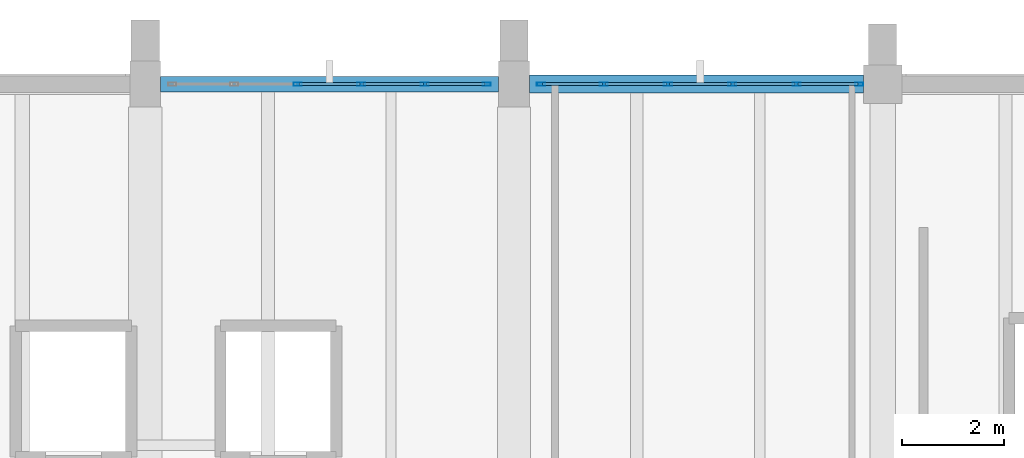
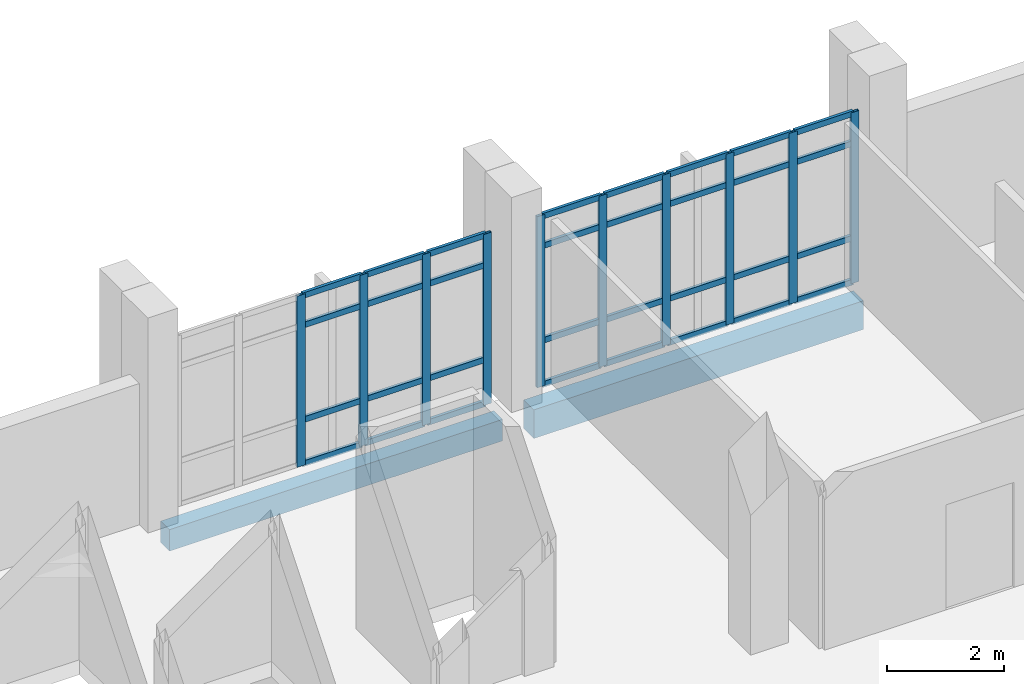
# One storey, part 64 of 116: 42 members, 2 beams, 2 elements without a shape of their own.
"""IFC4 building model written with IfcOpenShell, lengths in metres."""

from ifc_helpers import new_model, si_unit, direction, frame, origin, origin_2d, place, context, subcontext, project, spatial, rectangle, hollow_rectangle, extrude, material, material_profile, profile_set, type_object, element, aggregate, save


model = new_model("IFC4")

# Units and contexts
model_context = context("Model", 3, precision=1e-05, world=origin(), true_north=direction((0.0, 1.0)))
body_context = subcontext(model_context, "Body", "Model", "MODEL_VIEW")
ifc_project = project(units=[si_unit("LENGTHUNIT", "METRE"), si_unit("AREAUNIT", "SQUARE_METRE"), si_unit("VOLUMEUNIT", "CUBIC_METRE"), si_unit("PLANEANGLEUNIT", "RADIAN"), si_unit("MASSUNIT", "GRAM", prefix="KILO")], contexts=[model_context])

# Site, building, storey
site_placement = place(None, origin())
site = spatial("IfcSite", under=ifc_project, at=site_placement, CompositionType="ELEMENT")
building_placement = place(site_placement, origin())
building = spatial("IfcBuilding", under=site, at=building_placement, Name="Kalluvel Institute of Natural Sciences", CompositionType="ELEMENT")
storey_placement = place(building_placement, frame((0.0, 0.0, 14.39990234375)))
storey = spatial("IfcBuildingStorey", under=building, at=storey_placement, Name="L03", CompositionType="ELEMENT", Elevation=14.39990234375)

# Curtain wall, members
ifc_material_1 = material(Name="Aluminium AW-6063 T6", Category="aluminium")
curtain_wall_type = type_object("IfcCurtainWallType", Name="CW-WET-45", PredefinedType="USERDEFINED", material=ifc_material_1)
curtain_wall_1_placement = place(storey_placement, origin())
curtain_wall_1 = element("IfcCurtainWall", 1, at=curtain_wall_1_placement, inside=storey, type_object=curtain_wall_type, Name="L03 Gothic lancet curtain wall CWA-L03-X433-Y1280", ObjectType="UNITISED LANCET FACADE", PredefinedType="USERDEFINED")
ifc_material_profile_1 = material_profile(ifc_material_1, hollow_rectangle(XDim=0.06005859375, YDim=0.159912109375, WallThickness=0.00390625, at=origin_2d()), Name="CWM 60x160")
ifc_profile_set_1 = profile_set([ifc_material_profile_1], Name="Aluminium AW-6063 T6")
member_type_1 = type_object("IfcMemberType", Name="CWM-60x160", PredefinedType="MULLION", material=ifc_profile_set_1)
member_1_placement = place(storey_placement, frame((45.780029296875, 128.0, 0.0), z_axis=(0.0, 0.0, 1.0), x_axis=(0.0, 1.0, 0.0)))
member_1 = element("IfcMember", 2, at=member_1_placement, type_object=member_type_1, Name="CW-01 mullion 3", PredefinedType="MULLION", context=body_context, shape_type="SweptSolid", body=[
    extrude(hollow_rectangle(XDim=0.06005859375, YDim=0.159912109375, WallThickness=0.00390625, at=origin_2d()), origin(), (0.0, 0.0, 1.0), 3.580078125),
])
member_2_placement = place(storey_placement, frame((47.02001953125, 128.0, 0.0), z_axis=(0.0, 0.0, 1.0), x_axis=(0.0, 1.0, 0.0)))
member_2 = element("IfcMember", 3, at=member_2_placement, type_object=member_type_1, Name="CW-01 mullion 4", PredefinedType="MULLION", context=body_context, shape_type="SweptSolid", body=[
    extrude(hollow_rectangle(XDim=0.06005859375, YDim=0.159912109375, WallThickness=0.00390625, at=origin_2d()), origin(), (0.0, 0.0, 1.0), 3.580078125),
])
member_3_placement = place(storey_placement, frame((48.260009765625, 128.0, 0.0), z_axis=(0.0, 0.0, 1.0), x_axis=(0.0, 1.0, 0.0)))
member_3 = element("IfcMember", 4, at=member_3_placement, type_object=member_type_1, Name="CW-01 mullion 5", PredefinedType="MULLION", context=body_context, shape_type="SweptSolid", body=[
    extrude(hollow_rectangle(XDim=0.06005859375, YDim=0.159912109375, WallThickness=0.00390625, at=origin_2d()), origin(), (0.0, 0.0, 1.0), 3.580078125),
])
member_4_placement = place(storey_placement, frame((49.469970703125, 128.0, 0.0), z_axis=(0.0, 0.0, 1.0), x_axis=(0.0, 1.0, 0.0)))
member_4 = element("IfcMember", 5, at=member_4_placement, type_object=member_type_1, Name="CW-01 mullion 6", PredefinedType="MULLION", context=body_context, shape_type="SweptSolid", body=[
    extrude(hollow_rectangle(XDim=0.06005859375, YDim=0.159912109375, WallThickness=0.00390625, at=origin_2d()), origin(), (0.0, 0.0, 1.0), 3.580078125),
])

curtain_wall_2_placement = place(storey_placement, origin())
curtain_wall_2 = element("IfcCurtainWall", 6, at=curtain_wall_2_placement, inside=storey, type_object=curtain_wall_type, Name="L03 Gothic lancet curtain wall CWA-L03-X505-Y1280", ObjectType="UNITISED LANCET FACADE", PredefinedType="USERDEFINED")
member_5_placement = place(storey_placement, frame((50.530029296875, 128.0, 0.0), z_axis=(0.0, 0.0, 1.0), x_axis=(0.0, 1.0, 0.0)))
member_5 = element("IfcMember", 7, at=member_5_placement, type_object=member_type_1, Name="CW-01 mullion 1", PredefinedType="MULLION", context=body_context, shape_type="SweptSolid", body=[
    extrude(hollow_rectangle(XDim=0.06005859375, YDim=0.159912109375, WallThickness=0.00390625, at=origin_2d()), origin(), (0.0, 0.0, 1.0), 3.580078125),
])
member_6_placement = place(storey_placement, frame((51.7548828125, 128.0, 0.0), z_axis=(0.0, 0.0, 1.0), x_axis=(0.0, 1.0, 0.0)))
member_6 = element("IfcMember", 8, at=member_6_placement, type_object=member_type_1, Name="CW-01 mullion 2", PredefinedType="MULLION", context=body_context, shape_type="SweptSolid", body=[
    extrude(hollow_rectangle(XDim=0.06005859375, YDim=0.159912109375, WallThickness=0.00390625, at=origin_2d()), origin(), (0.0, 0.0, 1.0), 3.580078125),
])
member_7_placement = place(storey_placement, frame((53.010009765625, 128.0, 0.0), z_axis=(0.0, 0.0, 1.0), x_axis=(0.0, 1.0, 0.0)))
member_7 = element("IfcMember", 9, at=member_7_placement, type_object=member_type_1, Name="CW-01 mullion 3", PredefinedType="MULLION", context=body_context, shape_type="SweptSolid", body=[
    extrude(hollow_rectangle(XDim=0.06005859375, YDim=0.159912109375, WallThickness=0.00390625, at=origin_2d()), origin(), (0.0, 0.0, 1.0), 3.580078125),
])
member_8_placement = place(storey_placement, frame((54.264892578125, 128.0, 0.0), z_axis=(0.0, 0.0, 1.0), x_axis=(0.0, 1.0, 0.0)))
member_8 = element("IfcMember", 10, at=member_8_placement, type_object=member_type_1, Name="CW-01 mullion 4", PredefinedType="MULLION", context=body_context, shape_type="SweptSolid", body=[
    extrude(hollow_rectangle(XDim=0.06005859375, YDim=0.159912109375, WallThickness=0.00390625, at=origin_2d()), origin(), (0.0, 0.0, 1.0), 3.580078125),
])
member_9_placement = place(storey_placement, frame((55.52001953125, 128.0, 0.0), z_axis=(0.0, 0.0, 1.0), x_axis=(0.0, 1.0, 0.0)))
member_9 = element("IfcMember", 11, at=member_9_placement, type_object=member_type_1, Name="CW-01 mullion 5", PredefinedType="MULLION", context=body_context, shape_type="SweptSolid", body=[
    extrude(hollow_rectangle(XDim=0.06005859375, YDim=0.159912109375, WallThickness=0.00390625, at=origin_2d()), origin(), (0.0, 0.0, 1.0), 3.580078125),
])
member_10_placement = place(storey_placement, frame((56.7451171875, 128.0, 0.0), z_axis=(0.0, 0.0, 1.0), x_axis=(0.0, 1.0, 0.0)))
member_10 = element("IfcMember", 12, at=member_10_placement, type_object=member_type_1, Name="CW-01 mullion 6", PredefinedType="MULLION", context=body_context, shape_type="SweptSolid", body=[
    extrude(hollow_rectangle(XDim=0.06005859375, YDim=0.159912109375, WallThickness=0.00390625, at=origin_2d()), origin(), (0.0, 0.0, 1.0), 3.580078125),
])

# Member
ifc_material_profile_2 = material_profile(ifc_material_1, hollow_rectangle(XDim=0.06005859375, YDim=0.1201171875, WallThickness=0.00390625, at=origin_2d()), Name="CWT 60x120")
ifc_profile_set_2 = profile_set([ifc_material_profile_2], Name="Aluminium AW-6063 T6")
member_type_2 = type_object("IfcMemberType", Name="CWT-60x120", PredefinedType="USERDEFINED", material=ifc_profile_set_2)
member_11_placement = place(storey_placement, frame((45.81005859375, 128.0, 0.030029296875), z_axis=(1.0, 0.0, 0.0), x_axis=(0.0, 1.0, 0.0)))
member_11 = element("IfcMember", 13, at=member_11_placement, type_object=member_type_2, Name="CW-01 transom 3.1", ObjectType="TRANSOM", PredefinedType="USERDEFINED", context=body_context, shape_type="SweptSolid", body=[
    extrude(hollow_rectangle(XDim=0.06005859375, YDim=0.1201171875, WallThickness=0.00390625, at=origin_2d()), origin(), (0.0, 0.0, 1.0), 1.179931640625),
])

member_12_placement = place(storey_placement, frame((45.81005859375, 128.0, 0.9501953125), z_axis=(1.0, 0.0, 0.0), x_axis=(0.0, 1.0, 0.0)))
member_12 = element("IfcMember", 14, at=member_12_placement, type_object=member_type_2, Name="CW-01 transom 3.2", ObjectType="TRANSOM", PredefinedType="USERDEFINED", context=body_context, shape_type="SweptSolid", body=[
    extrude(hollow_rectangle(XDim=0.06005859375, YDim=0.1201171875, WallThickness=0.00390625, at=origin_2d()), origin(), (0.0, 0.0, 1.0), 1.179931640625),
])

member_13_placement = place(storey_placement, frame((45.81005859375, 128.0, 2.93017578125), z_axis=(1.0, 0.0, 0.0), x_axis=(0.0, 1.0, 0.0)))
member_13 = element("IfcMember", 15, at=member_13_placement, type_object=member_type_2, Name="CW-01 transom 3.3", ObjectType="TRANSOM", PredefinedType="USERDEFINED", context=body_context, shape_type="SweptSolid", body=[
    extrude(hollow_rectangle(XDim=0.06005859375, YDim=0.1201171875, WallThickness=0.00390625, at=origin_2d()), origin(), (0.0, 0.0, 1.0), 1.179931640625),
])

member_14_placement = place(storey_placement, frame((45.81005859375, 128.0, 3.550048828125), z_axis=(1.0, 0.0, 0.0), x_axis=(0.0, 1.0, 0.0)))
member_14 = element("IfcMember", 16, at=member_14_placement, type_object=member_type_2, Name="CW-01 transom 3.4", ObjectType="TRANSOM", PredefinedType="USERDEFINED", context=body_context, shape_type="SweptSolid", body=[
    extrude(hollow_rectangle(XDim=0.06005859375, YDim=0.1201171875, WallThickness=0.00390625, at=origin_2d()), origin(), (0.0, 0.0, 1.0), 1.179931640625),
])

member_15_placement = place(storey_placement, frame((47.050048828125, 128.0, 0.030029296875), z_axis=(1.0, 0.0, 0.0), x_axis=(0.0, 1.0, 0.0)))
member_15 = element("IfcMember", 17, at=member_15_placement, type_object=member_type_2, Name="CW-01 transom 4.1", ObjectType="TRANSOM", PredefinedType="USERDEFINED", context=body_context, shape_type="SweptSolid", body=[
    extrude(hollow_rectangle(XDim=0.06005859375, YDim=0.1201171875, WallThickness=0.00390625, at=origin_2d()), origin(), (0.0, 0.0, 1.0), 1.179931640625),
])

member_16_placement = place(storey_placement, frame((47.050048828125, 128.0, 0.9501953125), z_axis=(1.0, 0.0, 0.0), x_axis=(0.0, 1.0, 0.0)))
member_16 = element("IfcMember", 18, at=member_16_placement, type_object=member_type_2, Name="CW-01 transom 4.2", ObjectType="TRANSOM", PredefinedType="USERDEFINED", context=body_context, shape_type="SweptSolid", body=[
    extrude(hollow_rectangle(XDim=0.06005859375, YDim=0.1201171875, WallThickness=0.00390625, at=origin_2d()), origin(), (0.0, 0.0, 1.0), 1.179931640625),
])

member_17_placement = place(storey_placement, frame((47.050048828125, 128.0, 2.93017578125), z_axis=(1.0, 0.0, 0.0), x_axis=(0.0, 1.0, 0.0)))
member_17 = element("IfcMember", 19, at=member_17_placement, type_object=member_type_2, Name="CW-01 transom 4.3", ObjectType="TRANSOM", PredefinedType="USERDEFINED", context=body_context, shape_type="SweptSolid", body=[
    extrude(hollow_rectangle(XDim=0.06005859375, YDim=0.1201171875, WallThickness=0.00390625, at=origin_2d()), origin(), (0.0, 0.0, 1.0), 1.179931640625),
])

member_18_placement = place(storey_placement, frame((47.050048828125, 128.0, 3.550048828125), z_axis=(1.0, 0.0, 0.0), x_axis=(0.0, 1.0, 0.0)))
member_18 = element("IfcMember", 20, at=member_18_placement, type_object=member_type_2, Name="CW-01 transom 4.4", ObjectType="TRANSOM", PredefinedType="USERDEFINED", context=body_context, shape_type="SweptSolid", body=[
    extrude(hollow_rectangle(XDim=0.06005859375, YDim=0.1201171875, WallThickness=0.00390625, at=origin_2d()), origin(), (0.0, 0.0, 1.0), 1.179931640625),
])

member_19_placement = place(storey_placement, frame((48.2900390625, 128.0, 0.030029296875), z_axis=(1.0, 0.0, 0.0), x_axis=(0.0, 1.0, 0.0)))
member_19 = element("IfcMember", 21, at=member_19_placement, type_object=member_type_2, Name="CW-01 transom 5.1", ObjectType="TRANSOM", PredefinedType="USERDEFINED", context=body_context, shape_type="SweptSolid", body=[
    extrude(hollow_rectangle(XDim=0.06005859375, YDim=0.1201171875, WallThickness=0.00390625, at=origin_2d()), origin(), (0.0, 0.0, 1.0), 1.14990234375),
])

member_20_placement = place(storey_placement, frame((48.2900390625, 128.0, 0.9501953125), z_axis=(1.0, 0.0, 0.0), x_axis=(0.0, 1.0, 0.0)))
member_20 = element("IfcMember", 22, at=member_20_placement, type_object=member_type_2, Name="CW-01 transom 5.2", ObjectType="TRANSOM", PredefinedType="USERDEFINED", context=body_context, shape_type="SweptSolid", body=[
    extrude(hollow_rectangle(XDim=0.06005859375, YDim=0.1201171875, WallThickness=0.00390625, at=origin_2d()), origin(), (0.0, 0.0, 1.0), 1.14990234375),
])

member_21_placement = place(storey_placement, frame((48.2900390625, 128.0, 2.93017578125), z_axis=(1.0, 0.0, 0.0), x_axis=(0.0, 1.0, 0.0)))
member_21 = element("IfcMember", 23, at=member_21_placement, type_object=member_type_2, Name="CW-01 transom 5.3", ObjectType="TRANSOM", PredefinedType="USERDEFINED", context=body_context, shape_type="SweptSolid", body=[
    extrude(hollow_rectangle(XDim=0.06005859375, YDim=0.1201171875, WallThickness=0.00390625, at=origin_2d()), origin(), (0.0, 0.0, 1.0), 1.14990234375),
])

member_22_placement = place(storey_placement, frame((48.2900390625, 128.0, 3.550048828125), z_axis=(1.0, 0.0, 0.0), x_axis=(0.0, 1.0, 0.0)))
member_22 = element("IfcMember", 24, at=member_22_placement, type_object=member_type_2, Name="CW-01 transom 5.4", ObjectType="TRANSOM", PredefinedType="USERDEFINED", context=body_context, shape_type="SweptSolid", body=[
    extrude(hollow_rectangle(XDim=0.06005859375, YDim=0.1201171875, WallThickness=0.00390625, at=origin_2d()), origin(), (0.0, 0.0, 1.0), 1.14990234375),
])

aggregate(curtain_wall_1, [member_1, member_2, member_3, member_4, member_11, member_12, member_13, member_14, member_15, member_16, member_17, member_18, member_19, member_20, member_21, member_22])

member_23_placement = place(storey_placement, frame((50.56005859375, 128.0, 0.030029296875), z_axis=(1.0, 0.0, 0.0), x_axis=(0.0, 1.0, 0.0)))
member_23 = element("IfcMember", 25, at=member_23_placement, type_object=member_type_2, Name="CW-01 transom 1.1", ObjectType="TRANSOM", PredefinedType="USERDEFINED", context=body_context, shape_type="SweptSolid", body=[
    extrude(hollow_rectangle(XDim=0.06005859375, YDim=0.1201171875, WallThickness=0.00390625, at=origin_2d()), origin(), (0.0, 0.0, 1.0), 1.1650390625),
])

member_24_placement = place(storey_placement, frame((50.56005859375, 128.0, 0.9501953125), z_axis=(1.0, 0.0, 0.0), x_axis=(0.0, 1.0, 0.0)))
member_24 = element("IfcMember", 26, at=member_24_placement, type_object=member_type_2, Name="CW-01 transom 1.2", ObjectType="TRANSOM", PredefinedType="USERDEFINED", context=body_context, shape_type="SweptSolid", body=[
    extrude(hollow_rectangle(XDim=0.06005859375, YDim=0.1201171875, WallThickness=0.00390625, at=origin_2d()), origin(), (0.0, 0.0, 1.0), 1.1650390625),
])

member_25_placement = place(storey_placement, frame((50.56005859375, 128.0, 2.93017578125), z_axis=(1.0, 0.0, 0.0), x_axis=(0.0, 1.0, 0.0)))
member_25 = element("IfcMember", 27, at=member_25_placement, type_object=member_type_2, Name="CW-01 transom 1.3", ObjectType="TRANSOM", PredefinedType="USERDEFINED", context=body_context, shape_type="SweptSolid", body=[
    extrude(hollow_rectangle(XDim=0.06005859375, YDim=0.1201171875, WallThickness=0.00390625, at=origin_2d()), origin(), (0.0, 0.0, 1.0), 1.1650390625),
])

member_26_placement = place(storey_placement, frame((50.56005859375, 128.0, 3.550048828125), z_axis=(1.0, 0.0, 0.0), x_axis=(0.0, 1.0, 0.0)))
member_26 = element("IfcMember", 28, at=member_26_placement, type_object=member_type_2, Name="CW-01 transom 1.4", ObjectType="TRANSOM", PredefinedType="USERDEFINED", context=body_context, shape_type="SweptSolid", body=[
    extrude(hollow_rectangle(XDim=0.06005859375, YDim=0.1201171875, WallThickness=0.00390625, at=origin_2d()), origin(), (0.0, 0.0, 1.0), 1.1650390625),
])

member_27_placement = place(storey_placement, frame((51.784912109375, 128.0, 0.030029296875), z_axis=(1.0, 0.0, 0.0), x_axis=(0.0, 1.0, 0.0)))
member_27 = element("IfcMember", 29, at=member_27_placement, type_object=member_type_2, Name="CW-01 transom 2.1", ObjectType="TRANSOM", PredefinedType="USERDEFINED", context=body_context, shape_type="SweptSolid", body=[
    extrude(hollow_rectangle(XDim=0.06005859375, YDim=0.1201171875, WallThickness=0.00390625, at=origin_2d()), origin(), (0.0, 0.0, 1.0), 1.195068359375),
])

member_28_placement = place(storey_placement, frame((51.784912109375, 128.0, 0.9501953125), z_axis=(1.0, 0.0, 0.0), x_axis=(0.0, 1.0, 0.0)))
member_28 = element("IfcMember", 30, at=member_28_placement, type_object=member_type_2, Name="CW-01 transom 2.2", ObjectType="TRANSOM", PredefinedType="USERDEFINED", context=body_context, shape_type="SweptSolid", body=[
    extrude(hollow_rectangle(XDim=0.06005859375, YDim=0.1201171875, WallThickness=0.00390625, at=origin_2d()), origin(), (0.0, 0.0, 1.0), 1.195068359375),
])

member_29_placement = place(storey_placement, frame((51.784912109375, 128.0, 2.93017578125), z_axis=(1.0, 0.0, 0.0), x_axis=(0.0, 1.0, 0.0)))
member_29 = element("IfcMember", 31, at=member_29_placement, type_object=member_type_2, Name="CW-01 transom 2.3", ObjectType="TRANSOM", PredefinedType="USERDEFINED", context=body_context, shape_type="SweptSolid", body=[
    extrude(hollow_rectangle(XDim=0.06005859375, YDim=0.1201171875, WallThickness=0.00390625, at=origin_2d()), origin(), (0.0, 0.0, 1.0), 1.195068359375),
])

member_30_placement = place(storey_placement, frame((51.784912109375, 128.0, 3.550048828125), z_axis=(1.0, 0.0, 0.0), x_axis=(0.0, 1.0, 0.0)))
member_30 = element("IfcMember", 32, at=member_30_placement, type_object=member_type_2, Name="CW-01 transom 2.4", ObjectType="TRANSOM", PredefinedType="USERDEFINED", context=body_context, shape_type="SweptSolid", body=[
    extrude(hollow_rectangle(XDim=0.06005859375, YDim=0.1201171875, WallThickness=0.00390625, at=origin_2d()), origin(), (0.0, 0.0, 1.0), 1.195068359375),
])

member_31_placement = place(storey_placement, frame((53.0400390625, 128.0, 0.030029296875), z_axis=(1.0, 0.0, 0.0), x_axis=(0.0, 1.0, 0.0)))
member_31 = element("IfcMember", 33, at=member_31_placement, type_object=member_type_2, Name="CW-01 transom 3.1", ObjectType="TRANSOM", PredefinedType="USERDEFINED", context=body_context, shape_type="SweptSolid", body=[
    extrude(hollow_rectangle(XDim=0.06005859375, YDim=0.1201171875, WallThickness=0.00390625, at=origin_2d()), origin(), (0.0, 0.0, 1.0), 1.195068359375),
])

member_32_placement = place(storey_placement, frame((53.0400390625, 128.0, 0.9501953125), z_axis=(1.0, 0.0, 0.0), x_axis=(0.0, 1.0, 0.0)))
member_32 = element("IfcMember", 34, at=member_32_placement, type_object=member_type_2, Name="CW-01 transom 3.2", ObjectType="TRANSOM", PredefinedType="USERDEFINED", context=body_context, shape_type="SweptSolid", body=[
    extrude(hollow_rectangle(XDim=0.06005859375, YDim=0.1201171875, WallThickness=0.00390625, at=origin_2d()), origin(), (0.0, 0.0, 1.0), 1.195068359375),
])

member_33_placement = place(storey_placement, frame((53.0400390625, 128.0, 2.93017578125), z_axis=(1.0, 0.0, 0.0), x_axis=(0.0, 1.0, 0.0)))
member_33 = element("IfcMember", 35, at=member_33_placement, type_object=member_type_2, Name="CW-01 transom 3.3", ObjectType="TRANSOM", PredefinedType="USERDEFINED", context=body_context, shape_type="SweptSolid", body=[
    extrude(hollow_rectangle(XDim=0.06005859375, YDim=0.1201171875, WallThickness=0.00390625, at=origin_2d()), origin(), (0.0, 0.0, 1.0), 1.195068359375),
])

member_34_placement = place(storey_placement, frame((53.0400390625, 128.0, 3.550048828125), z_axis=(1.0, 0.0, 0.0), x_axis=(0.0, 1.0, 0.0)))
member_34 = element("IfcMember", 36, at=member_34_placement, type_object=member_type_2, Name="CW-01 transom 3.4", ObjectType="TRANSOM", PredefinedType="USERDEFINED", context=body_context, shape_type="SweptSolid", body=[
    extrude(hollow_rectangle(XDim=0.06005859375, YDim=0.1201171875, WallThickness=0.00390625, at=origin_2d()), origin(), (0.0, 0.0, 1.0), 1.195068359375),
])

member_35_placement = place(storey_placement, frame((54.294921875, 128.0, 0.030029296875), z_axis=(1.0, 0.0, 0.0), x_axis=(0.0, 1.0, 0.0)))
member_35 = element("IfcMember", 37, at=member_35_placement, type_object=member_type_2, Name="CW-01 transom 4.1", ObjectType="TRANSOM", PredefinedType="USERDEFINED", context=body_context, shape_type="SweptSolid", body=[
    extrude(hollow_rectangle(XDim=0.06005859375, YDim=0.1201171875, WallThickness=0.00390625, at=origin_2d()), origin(), (0.0, 0.0, 1.0), 1.195068359375),
])

member_36_placement = place(storey_placement, frame((54.294921875, 128.0, 0.9501953125), z_axis=(1.0, 0.0, 0.0), x_axis=(0.0, 1.0, 0.0)))
member_36 = element("IfcMember", 38, at=member_36_placement, type_object=member_type_2, Name="CW-01 transom 4.2", ObjectType="TRANSOM", PredefinedType="USERDEFINED", context=body_context, shape_type="SweptSolid", body=[
    extrude(hollow_rectangle(XDim=0.06005859375, YDim=0.1201171875, WallThickness=0.00390625, at=origin_2d()), origin(), (0.0, 0.0, 1.0), 1.195068359375),
])

member_37_placement = place(storey_placement, frame((54.294921875, 128.0, 2.93017578125), z_axis=(1.0, 0.0, 0.0), x_axis=(0.0, 1.0, 0.0)))
member_37 = element("IfcMember", 39, at=member_37_placement, type_object=member_type_2, Name="CW-01 transom 4.3", ObjectType="TRANSOM", PredefinedType="USERDEFINED", context=body_context, shape_type="SweptSolid", body=[
    extrude(hollow_rectangle(XDim=0.06005859375, YDim=0.1201171875, WallThickness=0.00390625, at=origin_2d()), origin(), (0.0, 0.0, 1.0), 1.195068359375),
])

member_38_placement = place(storey_placement, frame((54.294921875, 128.0, 3.550048828125), z_axis=(1.0, 0.0, 0.0), x_axis=(0.0, 1.0, 0.0)))
member_38 = element("IfcMember", 40, at=member_38_placement, type_object=member_type_2, Name="CW-01 transom 4.4", ObjectType="TRANSOM", PredefinedType="USERDEFINED", context=body_context, shape_type="SweptSolid", body=[
    extrude(hollow_rectangle(XDim=0.06005859375, YDim=0.1201171875, WallThickness=0.00390625, at=origin_2d()), origin(), (0.0, 0.0, 1.0), 1.195068359375),
])

member_39_placement = place(storey_placement, frame((55.550048828125, 128.0, 0.030029296875), z_axis=(1.0, 0.0, 0.0), x_axis=(0.0, 1.0, 0.0)))
member_39 = element("IfcMember", 41, at=member_39_placement, type_object=member_type_2, Name="CW-01 transom 5.1", ObjectType="TRANSOM", PredefinedType="USERDEFINED", context=body_context, shape_type="SweptSolid", body=[
    extrude(hollow_rectangle(XDim=0.06005859375, YDim=0.1201171875, WallThickness=0.00390625, at=origin_2d()), origin(), (0.0, 0.0, 1.0), 1.1650390625),
])

member_40_placement = place(storey_placement, frame((55.550048828125, 128.0, 0.9501953125), z_axis=(1.0, 0.0, 0.0), x_axis=(0.0, 1.0, 0.0)))
member_40 = element("IfcMember", 42, at=member_40_placement, type_object=member_type_2, Name="CW-01 transom 5.2", ObjectType="TRANSOM", PredefinedType="USERDEFINED", context=body_context, shape_type="SweptSolid", body=[
    extrude(hollow_rectangle(XDim=0.06005859375, YDim=0.1201171875, WallThickness=0.00390625, at=origin_2d()), origin(), (0.0, 0.0, 1.0), 1.1650390625),
])

member_41_placement = place(storey_placement, frame((55.550048828125, 128.0, 2.93017578125), z_axis=(1.0, 0.0, 0.0), x_axis=(0.0, 1.0, 0.0)))
member_41 = element("IfcMember", 43, at=member_41_placement, type_object=member_type_2, Name="CW-01 transom 5.3", ObjectType="TRANSOM", PredefinedType="USERDEFINED", context=body_context, shape_type="SweptSolid", body=[
    extrude(hollow_rectangle(XDim=0.06005859375, YDim=0.1201171875, WallThickness=0.00390625, at=origin_2d()), origin(), (0.0, 0.0, 1.0), 1.1650390625),
])

member_42_placement = place(storey_placement, frame((55.550048828125, 128.0, 3.550048828125), z_axis=(1.0, 0.0, 0.0), x_axis=(0.0, 1.0, 0.0)))
member_42 = element("IfcMember", 44, at=member_42_placement, type_object=member_type_2, Name="CW-01 transom 5.4", ObjectType="TRANSOM", PredefinedType="USERDEFINED", context=body_context, shape_type="SweptSolid", body=[
    extrude(hollow_rectangle(XDim=0.06005859375, YDim=0.1201171875, WallThickness=0.00390625, at=origin_2d()), origin(), (0.0, 0.0, 1.0), 1.1650390625),
])

aggregate(curtain_wall_2, [member_5, member_6, member_7, member_8, member_9, member_10, member_23, member_24, member_25, member_26, member_27, member_28, member_29, member_30, member_31, member_32, member_33, member_34, member_35, member_36, member_37, member_38, member_39, member_40, member_41, member_42])

# Beams
ifc_material_2 = material(Name="Concrete M40", Category="concrete")
ifc_material_profile_3 = material_profile(ifc_material_2, rectangle(XDim=0.300048828125, YDim=0.449951171875, at=origin_2d()), Name="RCB 300x450")
ifc_profile_set_3 = profile_set([ifc_material_profile_3], Name="Concrete M40")
beam_type_1 = type_object("IfcBeamType", Name="SP-RC300x450", PredefinedType="SPANDREL", material=ifc_profile_set_3)
beam_1_placement = place(storey_placement, frame((43.10009765625, 128.0, -0.544921875), z_axis=(1.0, 0.0, 0.0), x_axis=(0.0, 1.0, 0.0)))
element("IfcBeam", 45, at=beam_1_placement, inside=storey, type_object=beam_type_1, Name="L03 girder GIR-L03-EW-X428-Y1280", PredefinedType="SPANDREL", context=body_context, shape_type="SweptSolid", body=[
    extrude(rectangle(XDim=0.300048828125, YDim=0.449951171875, at=origin_2d()), origin(), (0.0, 0.0, 1.0), 6.599853515625),
])
ifc_material_profile_4 = material_profile(ifc_material_2, rectangle(XDim=0.35009765625, YDim=0.60009765625, at=origin_2d()), Name="RCB 350x600")
ifc_profile_set_4 = profile_set([ifc_material_profile_4], Name="Concrete M40")
beam_type_2 = type_object("IfcBeamType", Name="SP-RC350x600", PredefinedType="SPANDREL", material=ifc_profile_set_4)
beam_2_placement = place(storey_placement, frame((50.300048828125, 128.0, -0.619873046875), z_axis=(1.0, 0.0, 0.0), x_axis=(0.0, 1.0, 0.0)))
element("IfcBeam", 46, at=beam_2_placement, inside=storey, type_object=beam_type_2, Name="L03 girder GIR-L03-EW-X500-Y1280", PredefinedType="SPANDREL", context=body_context, shape_type="SweptSolid", body=[
    extrude(rectangle(XDim=0.35009765625, YDim=0.60009765625, at=origin_2d()), origin(), (0.0, 0.0, 1.0), 6.52490234375),
])

save(model, "model.ifc")
